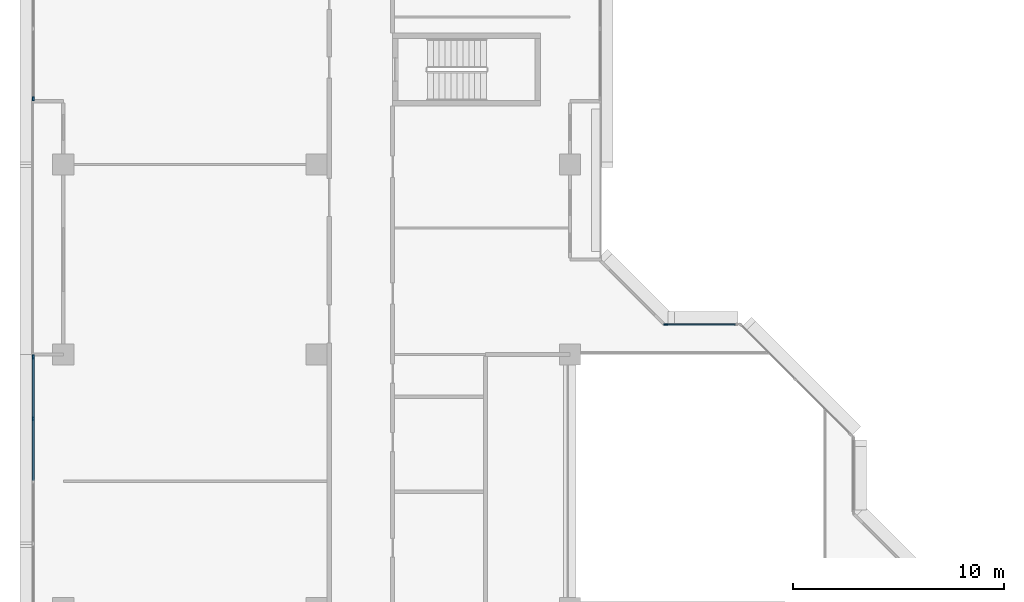
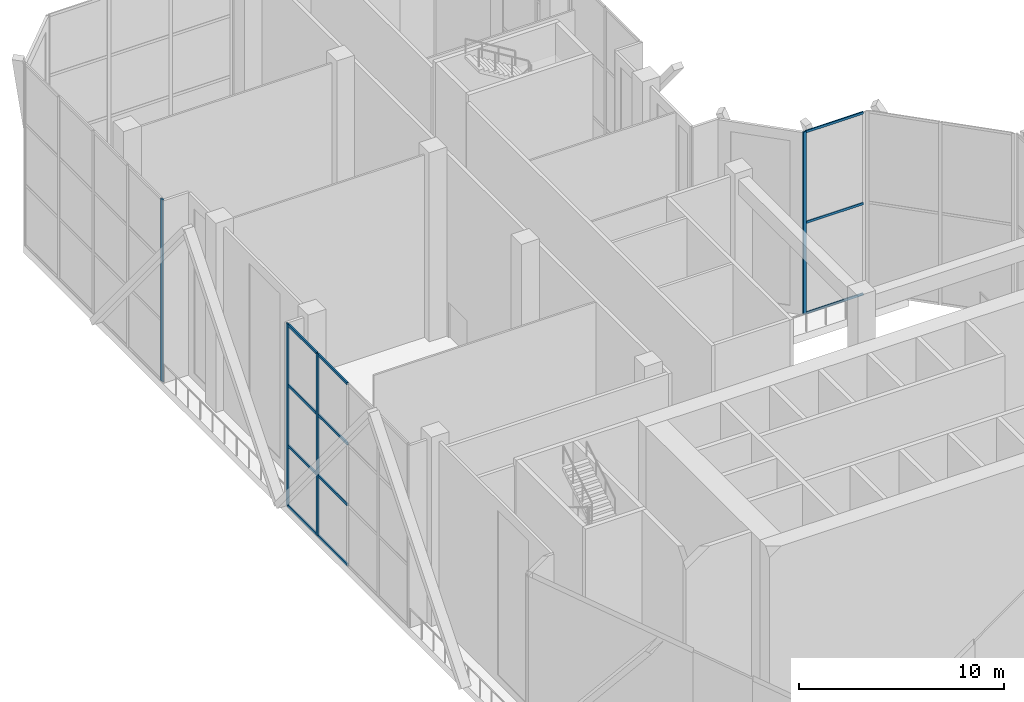
# One storey, part 5 of 21: 15 members, 3 elements without a shape of their own.
"""IFC4 building model written with IfcOpenShell, lengths in metres."""

from ifc_helpers import new_model, si_unit, direction, frame, origin, origin_2d, place, context, subcontext, project, spatial, rectangle, extrude, material, layer, layer_set, material_profile, profile_set, type_object, element, aggregate, save


model = new_model("IFC4")

# Units and contexts
model_context = context("Model", 3, precision=1e-05, world=origin(), true_north=direction((0.0, 1.0)))
body_context = subcontext(model_context, "Body", "Model", "MODEL_VIEW")
ifc_project = project(units=[si_unit("LENGTHUNIT", "METRE"), si_unit("AREAUNIT", "SQUARE_METRE"), si_unit("VOLUMEUNIT", "CUBIC_METRE"), si_unit("PLANEANGLEUNIT", "RADIAN"), si_unit("MASSUNIT", "GRAM", prefix="KILO")], contexts=[model_context])

# Site, building, storey
site_placement = place(None, origin())
site = spatial("IfcSite", under=ifc_project, at=site_placement, CompositionType="ELEMENT")
building_placement = place(site_placement, origin())
building = spatial("IfcBuilding", under=site, at=building_placement, Name="Chenar Terraces", CompositionType="ELEMENT")
storey_placement = place(building_placement, frame((0.0, 0.0, 146.14990234375)))
storey = spatial("IfcBuildingStorey", under=building, at=storey_placement, Name="L34", CompositionType="ELEMENT", Elevation=146.14990234375)

# Curtain wall, members
ifc_material_1 = material(Name="Aluminium framed glazing", Category="aluminium")
ifc_layer_1 = layer(ifc_material_1, 0.14990234375)
ifc_layer_set_1 = layer_set([ifc_layer_1], Name="Aluminium framed glazing")
curtain_wall_type_1 = type_object("IfcCurtainWallType", Name="Atrium mid-zone curtain wall", PredefinedType="NOTDEFINED", material=ifc_layer_set_1)
placement = place(storey_placement, origin())
curtain_wall_1 = element("IfcCurtainWall", 1, at=placement, inside=storey, type_object=curtain_wall_type_1, Name="Atrium mid-zone curtain wall", PredefinedType="NOTDEFINED")
ifc_material_2 = material(Name="Aluminium", Category="aluminium")
ifc_material_profile_1 = material_profile(ifc_material_2, rectangle(XDim=0.070068359375, YDim=0.179931640625, at=origin_2d()), Name="Atrium mid-zone glazing mullion 70 x 180")
ifc_profile_set_1 = profile_set([ifc_material_profile_1], Name="Aluminium")
member_type_1 = type_object("IfcMemberType", Name="Atrium mid-zone glazing mullion 70 x 180", PredefinedType="MULLION", material=ifc_profile_set_1)
member_1_placement = place(storey_placement, frame((28.534912109375, 37.425048828125, 0.0), z_axis=(0.0, 0.0, 1.0), x_axis=(0.0, -1.0, 0.0)))
member_1 = element("IfcMember", 2, at=member_1_placement, type_object=member_type_1, Name="CW7-3 mullion 2", PredefinedType="MULLION", context=body_context, shape_type="SweptSolid", body=[
    extrude(rectangle(XDim=0.070068359375, YDim=0.179931640625, at=origin_2d()), origin(), (0.0, 0.0, 1.0), 10.85009765625),
])
ifc_material_3 = material(Name="Aluminium", Category="aluminium")
ifc_material_profile_2 = material_profile(ifc_material_3, rectangle(XDim=0.070068359375, YDim=0.139892578125, at=origin_2d()), Name="Atrium mid-zone glazing transom 70 x 140")
ifc_profile_set_2 = profile_set([ifc_material_profile_2], Name="Aluminium")
member_type_2 = type_object("IfcMemberType", Name="Atrium mid-zone glazing transom 70 x 140", PredefinedType="USERDEFINED", material=ifc_profile_set_2)
member_2_placement = place(storey_placement, frame((31.830078125, 37.425048828125, 0.03515625), z_axis=(-1.0, 0.0, 0.0), x_axis=(0.0, -1.0, 0.0)))
member_2 = element("IfcMember", 3, at=member_2_placement, type_object=member_type_2, Name="CW7-3 transom 1.1", ObjectType="TRANSOM", PredefinedType="USERDEFINED", context=body_context, shape_type="SweptSolid", body=[
    extrude(rectangle(XDim=0.070068359375, YDim=0.139892578125, at=origin_2d()), origin(), (0.0, 0.0, 1.0), 3.260009765625),
])
member_3_placement = place(storey_placement, frame((31.830078125, 37.425048828125, 5.425048828125), z_axis=(-1.0, 0.0, 0.0), x_axis=(0.0, -1.0, 0.0)))
member_3 = element("IfcMember", 4, at=member_3_placement, type_object=member_type_2, Name="CW7-3 transom 1.2", ObjectType="TRANSOM", PredefinedType="USERDEFINED", context=body_context, shape_type="SweptSolid", body=[
    extrude(rectangle(XDim=0.070068359375, YDim=0.139892578125, at=origin_2d()), origin(), (0.0, 0.0, 1.0), 3.260009765625),
])
member_4_placement = place(storey_placement, frame((31.830078125, 37.425048828125, 10.815185546875), z_axis=(-1.0, 0.0, 0.0), x_axis=(0.0, -1.0, 0.0)))
member_4 = element("IfcMember", 5, at=member_4_placement, type_object=member_type_2, Name="CW7-3 transom 1.3", ObjectType="TRANSOM", PredefinedType="USERDEFINED", context=body_context, shape_type="SweptSolid", body=[
    extrude(rectangle(XDim=0.070068359375, YDim=0.139892578125, at=origin_2d()), origin(), (0.0, 0.0, 1.0), 3.260009765625),
])
aggregate(curtain_wall_1, [member_1, member_2, member_3, member_4])

# Curtain wall, member
ifc_material_4 = material(Name="Aluminium framed glazing", Category="aluminium")
ifc_layer_2 = layer(ifc_material_4, 0.14990234375)
ifc_layer_set_2 = layer_set([ifc_layer_2], Name="Aluminium framed glazing")
curtain_wall_type_2 = type_object("IfcCurtainWallType", Name="Sky garden curtain wall", PredefinedType="NOTDEFINED", material=ifc_layer_set_2)
curtain_wall_2 = element("IfcCurtainWall", 6, at=placement, inside=storey, type_object=curtain_wall_type_2, Name="Sky garden curtain wall", PredefinedType="NOTDEFINED")
ifc_material_5 = material(Name="Aluminium", Category="aluminium")
ifc_material_profile_3 = material_profile(ifc_material_5, rectangle(XDim=0.080078125, YDim=0.199951171875, at=origin_2d()), Name="Sky garden mullion 80 x 200")
ifc_profile_set_3 = profile_set([ifc_material_profile_3], Name="Aluminium")
member_type_3 = type_object("IfcMemberType", Name="Sky garden mullion 80 x 200", PredefinedType="MULLION", material=ifc_profile_set_3)
member_5_placement = place(storey_placement, frame((-1.425048828125, 48.114990234375, 0.0), z_axis=(0.0, 0.0, 1.0), x_axis=(1.0, 0.0, 0.0)))
member_5 = element("IfcMember", 7, at=member_5_placement, type_object=member_type_3, Name="CW3-04 mullion 5", PredefinedType="MULLION", context=body_context, shape_type="SweptSolid", body=[
    extrude(rectangle(XDim=0.080078125, YDim=0.199951171875, at=origin_2d()), origin(), (0.0, 0.0, 1.0), 10.85009765625),
])
aggregate(curtain_wall_2, [member_5])

# Curtain wall, members
curtain_wall_3 = element("IfcCurtainWall", 8, at=placement, inside=storey, type_object=curtain_wall_type_2, Name="Sky garden curtain wall", PredefinedType="NOTDEFINED")
member_6_placement = place(storey_placement, frame((-1.425048828125, 35.885009765625, 0.0), z_axis=(0.0, 0.0, 1.0), x_axis=(1.0, 0.0, 0.0)))
member_6 = element("IfcMember", 9, at=member_6_placement, type_object=member_type_3, Name="CW3-05 mullion 1", PredefinedType="MULLION", context=body_context, shape_type="SweptSolid", body=[
    extrude(rectangle(XDim=0.080078125, YDim=0.199951171875, at=origin_2d()), origin(), (0.0, 0.0, 1.0), 10.85009765625),
])
member_7_placement = place(storey_placement, frame((-1.425048828125, 32.96240234375, 0.0), z_axis=(0.0, 0.0, 1.0), x_axis=(1.0, 0.0, 0.0)))
member_7 = element("IfcMember", 10, at=member_7_placement, type_object=member_type_3, Name="CW3-05 mullion 2", PredefinedType="MULLION", context=body_context, shape_type="SweptSolid", body=[
    extrude(rectangle(XDim=0.080078125, YDim=0.199951171875, at=origin_2d()), origin(), (0.0, 0.0, 1.0), 10.85009765625),
])
ifc_material_6 = material(Name="Aluminium", Category="aluminium")
ifc_material_profile_4 = material_profile(ifc_material_6, rectangle(XDim=0.080078125, YDim=0.159912109375, at=origin_2d()), Name="Sky garden transom 80 x 160")
ifc_profile_set_4 = profile_set([ifc_material_profile_4], Name="Aluminium")
member_type_4 = type_object("IfcMemberType", Name="Sky garden transom 80 x 160", PredefinedType="USERDEFINED", material=ifc_profile_set_4)
member_8_placement = place(storey_placement, frame((-1.425048828125, 35.844970703125, 0.0400390625), z_axis=(0.0, -1.0, 0.0), x_axis=(1.0, 0.0, 0.0)))
member_8 = element("IfcMember", 11, at=member_8_placement, type_object=member_type_4, Name="CW3-05 transom 1.1", ObjectType="TRANSOM", PredefinedType="USERDEFINED", context=body_context, shape_type="SweptSolid", body=[
    extrude(rectangle(XDim=0.080078125, YDim=0.159912109375, at=origin_2d()), origin(), (0.0, 0.0, 1.0), 2.842529296875),
])
member_9_placement = place(storey_placement, frame((-1.425048828125, 35.844970703125, 3.6171875), z_axis=(0.0, -1.0, 0.0), x_axis=(1.0, 0.0, 0.0)))
member_9 = element("IfcMember", 12, at=member_9_placement, type_object=member_type_4, Name="CW3-05 transom 1.2", ObjectType="TRANSOM", PredefinedType="USERDEFINED", context=body_context, shape_type="SweptSolid", body=[
    extrude(rectangle(XDim=0.080078125, YDim=0.159912109375, at=origin_2d()), origin(), (0.0, 0.0, 1.0), 2.842529296875),
])
member_10_placement = place(storey_placement, frame((-1.425048828125, 35.844970703125, 7.233154296875), z_axis=(0.0, -1.0, 0.0), x_axis=(1.0, 0.0, 0.0)))
member_10 = element("IfcMember", 13, at=member_10_placement, type_object=member_type_4, Name="CW3-05 transom 1.3", ObjectType="TRANSOM", PredefinedType="USERDEFINED", context=body_context, shape_type="SweptSolid", body=[
    extrude(rectangle(XDim=0.080078125, YDim=0.159912109375, at=origin_2d()), origin(), (0.0, 0.0, 1.0), 2.842529296875),
])
member_11_placement = place(storey_placement, frame((-1.425048828125, 35.844970703125, 10.81005859375), z_axis=(0.0, -1.0, 0.0), x_axis=(1.0, 0.0, 0.0)))
member_11 = element("IfcMember", 14, at=member_11_placement, type_object=member_type_4, Name="CW3-05 transom 1.4", ObjectType="TRANSOM", PredefinedType="USERDEFINED", context=body_context, shape_type="SweptSolid", body=[
    extrude(rectangle(XDim=0.080078125, YDim=0.159912109375, at=origin_2d()), origin(), (0.0, 0.0, 1.0), 2.842529296875),
])
member_12_placement = place(storey_placement, frame((-1.425048828125, 32.922607421875, 0.0400390625), z_axis=(0.0, -1.0, 0.0), x_axis=(1.0, 0.0, 0.0)))
member_12 = element("IfcMember", 15, at=member_12_placement, type_object=member_type_4, Name="CW3-05 transom 2.1", ObjectType="TRANSOM", PredefinedType="USERDEFINED", context=body_context, shape_type="SweptSolid", body=[
    extrude(rectangle(XDim=0.080078125, YDim=0.159912109375, at=origin_2d()), origin(), (0.0, 0.0, 1.0), 2.882568359375),
])
member_13_placement = place(storey_placement, frame((-1.425048828125, 32.922607421875, 3.6171875), z_axis=(0.0, -1.0, 0.0), x_axis=(1.0, 0.0, 0.0)))
member_13 = element("IfcMember", 16, at=member_13_placement, type_object=member_type_4, Name="CW3-05 transom 2.2", ObjectType="TRANSOM", PredefinedType="USERDEFINED", context=body_context, shape_type="SweptSolid", body=[
    extrude(rectangle(XDim=0.080078125, YDim=0.159912109375, at=origin_2d()), origin(), (0.0, 0.0, 1.0), 2.882568359375),
])
member_14_placement = place(storey_placement, frame((-1.425048828125, 32.922607421875, 7.233154296875), z_axis=(0.0, -1.0, 0.0), x_axis=(1.0, 0.0, 0.0)))
member_14 = element("IfcMember", 17, at=member_14_placement, type_object=member_type_4, Name="CW3-05 transom 2.3", ObjectType="TRANSOM", PredefinedType="USERDEFINED", context=body_context, shape_type="SweptSolid", body=[
    extrude(rectangle(XDim=0.080078125, YDim=0.159912109375, at=origin_2d()), origin(), (0.0, 0.0, 1.0), 2.882568359375),
])
member_15_placement = place(storey_placement, frame((-1.425048828125, 32.922607421875, 10.81005859375), z_axis=(0.0, -1.0, 0.0), x_axis=(1.0, 0.0, 0.0)))
member_15 = element("IfcMember", 18, at=member_15_placement, type_object=member_type_4, Name="CW3-05 transom 2.4", ObjectType="TRANSOM", PredefinedType="USERDEFINED", context=body_context, shape_type="SweptSolid", body=[
    extrude(rectangle(XDim=0.080078125, YDim=0.159912109375, at=origin_2d()), origin(), (0.0, 0.0, 1.0), 2.882568359375),
])
aggregate(curtain_wall_3, [member_6, member_7, member_8, member_9, member_10, member_11, member_12, member_13, member_14, member_15])

save(model, "model.ifc")
